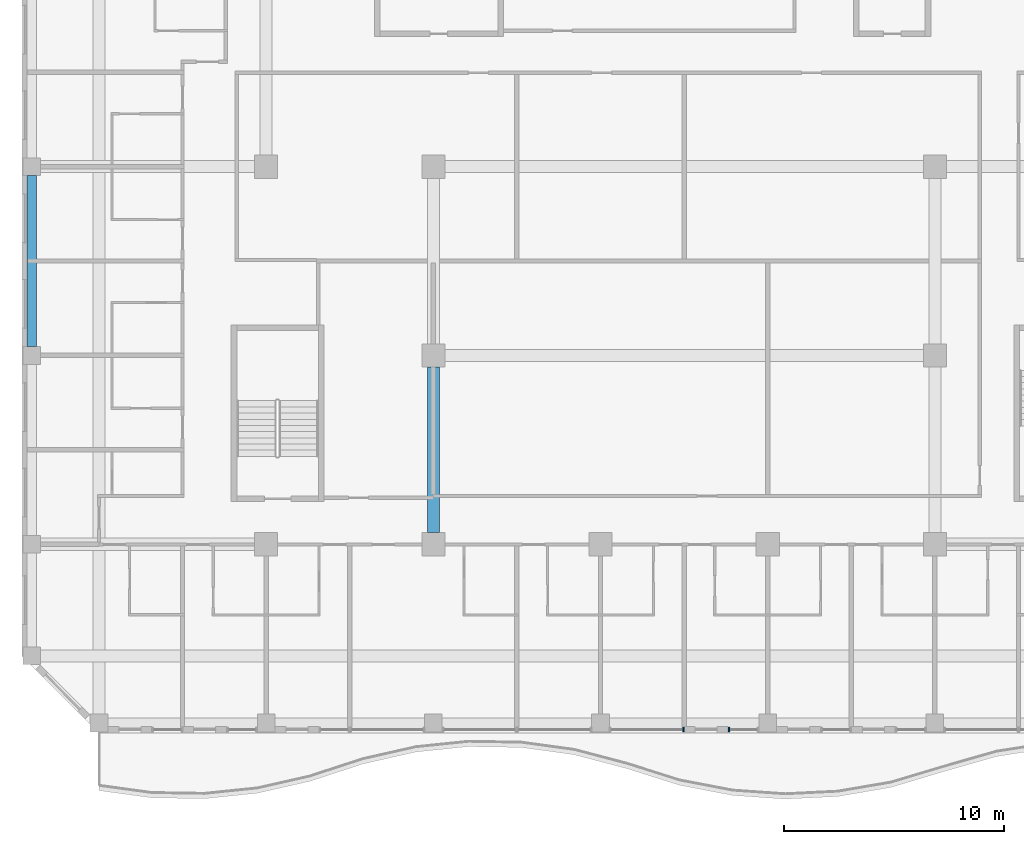
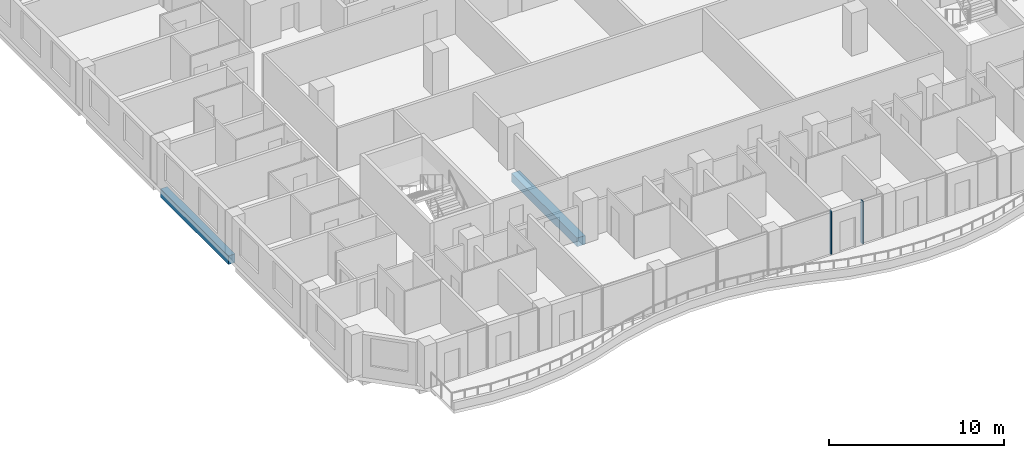
# One storey, part 4 of 24: 2 beams, 2 members, 2 elements without a shape of their own.
"""IFC4 building model written with IfcOpenShell, lengths in metres."""

from ifc_helpers import new_model, si_unit, direction, frame, origin, origin_2d, place, context, subcontext, project, spatial, rectangle, extrude, source, transform, mapped, material, material_profile, profile_set, type_object, element, aggregate, save


model = new_model("IFC4")

# Units and contexts
model_context = context("Model", 3, precision=1e-05, world=origin(), true_north=direction((0.0, 1.0)))
body_context = subcontext(model_context, "Body", "Model", "MODEL_VIEW")
ifc_project = project(units=[si_unit("LENGTHUNIT", "METRE"), si_unit("AREAUNIT", "SQUARE_METRE"), si_unit("VOLUMEUNIT", "CUBIC_METRE"), si_unit("PLANEANGLEUNIT", "RADIAN"), si_unit("MASSUNIT", "GRAM", prefix="KILO")], contexts=[model_context])

# Site, building, storey
site_placement = place(None, origin())
site = spatial("IfcSite", under=ifc_project, at=site_placement, CompositionType="ELEMENT")
building_placement = place(site_placement, origin())
building = spatial("IfcBuilding", under=site, at=building_placement, Name="Kilnfold Tower and Market Hall", CompositionType="ELEMENT")
storey_placement = place(building_placement, frame((0.0, 0.0, 192.300048828125)))
storey = spatial("IfcBuildingStorey", under=building, at=storey_placement, Name="L46", CompositionType="ELEMENT", Elevation=192.300048828125)

# Beams
ifc_material_1 = material(Name="Concrete C45", Category="concrete")
ifc_material_profile_1 = material_profile(ifc_material_1, rectangle(XDim=0.449951171875, YDim=0.60009765625, at=origin_2d()), Name="RC 450x600")
ifc_profile_set_1 = profile_set([ifc_material_profile_1], Name="Concrete C45")
beam_type_1 = type_object("IfcBeamType", Name="EDGE BEAM 450X600 C45", PredefinedType="BEAM", material=ifc_profile_set_1)
shared_shape_1 = source(origin(), body_context, "Body", "SweptSolid", [
    extrude(rectangle(XDim=0.449951171875, YDim=0.60009765625, at=origin_2d()), origin(), (0.0, 0.0, 1.0), 7.7626953125),
])
beam_1_placement = place(storey_placement, frame((-26.800048828125, -8.72509765625, -0.580078125), z_axis=(0.0, 1.0, 0.0), x_axis=(-1.0, 0.0, 0.0)))
element("IfcBeam", 1, at=beam_1_placement, inside=storey, type_object=beam_type_1, Name="Beam EB600-B5.67", PredefinedType="BEAM", context=body_context, shape_type="MappedRepresentation", body=[
    mapped(shared_shape_1, transform((0.0, 0.0, 0.0))),
])
ifc_material_2 = material(Name="Concrete C45", Category="concrete")
ifc_material_profile_2 = material_profile(ifc_material_2, rectangle(XDim=0.550048828125, YDim=0.60009765625, at=origin_2d()), Name="RC 550x600")
ifc_profile_set_2 = profile_set([ifc_material_profile_2], Name="Concrete C45")
beam_type_2 = type_object("IfcBeamType", Name="BEAM 550X600 C45", PredefinedType="BEAM", material=ifc_profile_set_2)
shared_shape_2 = source(origin(), body_context, "Body", "SweptSolid", [
    extrude(rectangle(XDim=0.550048828125, YDim=0.60009765625, at=origin_2d()), origin(), (0.0, 0.0, 1.0), 7.5126953125),
])
beam_2_placement = place(storey_placement, frame((-8.580078125, -17.16259765625, -0.580078125), z_axis=(0.0, 1.0, 0.0), x_axis=(-1.0, 0.0, 0.0)))
element("IfcBeam", 2, at=beam_2_placement, inside=storey, type_object=beam_type_2, Name="Beam BB600-B5.71", PredefinedType="BEAM", context=body_context, shape_type="MappedRepresentation", body=[
    mapped(shared_shape_2, transform((0.0, 0.0, 0.0))),
])

# Curtain wall, member
ifc_material_3 = material(Name="Aluminium and double glazing", Category="aluminium")
curtain_wall_type = type_object("IfcCurtainWallType", Name="CW GARDEN HOTEL WINTER GARDEN", PredefinedType="NOTDEFINED", material=ifc_material_3)
curtain_wall_1_placement = place(storey_placement, origin())
curtain_wall_1 = element("IfcCurtainWall", 3, at=curtain_wall_1_placement, inside=storey, type_object=curtain_wall_type, Name="Curtain wall CW5 L46 S", PredefinedType="NOTDEFINED")
ifc_material_4 = material(Name="Aluminium", Category="aluminium")
ifc_material_profile_3 = material_profile(ifc_material_4, rectangle(XDim=0.06494140625, YDim=0.2099609375, at=origin_2d()), Name="MULLION 65x210")
ifc_profile_set_3 = profile_set([ifc_material_profile_3], Name="Aluminium")
member_type = type_object("IfcMemberType", Name="MULLION 65X210", PredefinedType="MULLION", material=ifc_profile_set_3)
shared_shape_3 = source(origin(), body_context, "Body", "SweptSolid", [
    extrude(rectangle(XDim=0.06494140625, YDim=0.2099609375, at=origin_2d()), origin(), (0.0, 0.0, 1.0), 3.0),
])
member_1_placement = place(storey_placement, frame((2.759033203125, -26.10009765625, 0.0), z_axis=(0.0, 0.0, 1.0), x_axis=(1.0, 0.0, 0.0)))
member_1 = element("IfcMember", 4, at=member_1_placement, type_object=member_type, Name="CW5 mullion 2", PredefinedType="MULLION", context=body_context, shape_type="MappedRepresentation", body=[
    mapped(shared_shape_3, transform((0.0, 0.0, 0.0))),
])
aggregate(curtain_wall_1, [member_1])

curtain_wall_2_placement = place(storey_placement, origin())
curtain_wall_2 = element("IfcCurtainWall", 5, at=curtain_wall_2_placement, inside=storey, type_object=curtain_wall_type, Name="Curtain wall CW5 L46 S", PredefinedType="NOTDEFINED")
member_2_placement = place(storey_placement, frame((4.82421875, -26.10009765625, 0.0), z_axis=(0.0, 0.0, 1.0), x_axis=(1.0, 0.0, 0.0)))
member_2 = element("IfcMember", 6, at=member_2_placement, type_object=member_type, Name="CW5 mullion 1", PredefinedType="MULLION", context=body_context, shape_type="MappedRepresentation", body=[
    mapped(shared_shape_3, transform((0.0, 0.0, 0.0))),
])
aggregate(curtain_wall_2, [member_2])

save(model, "model.ifc")
